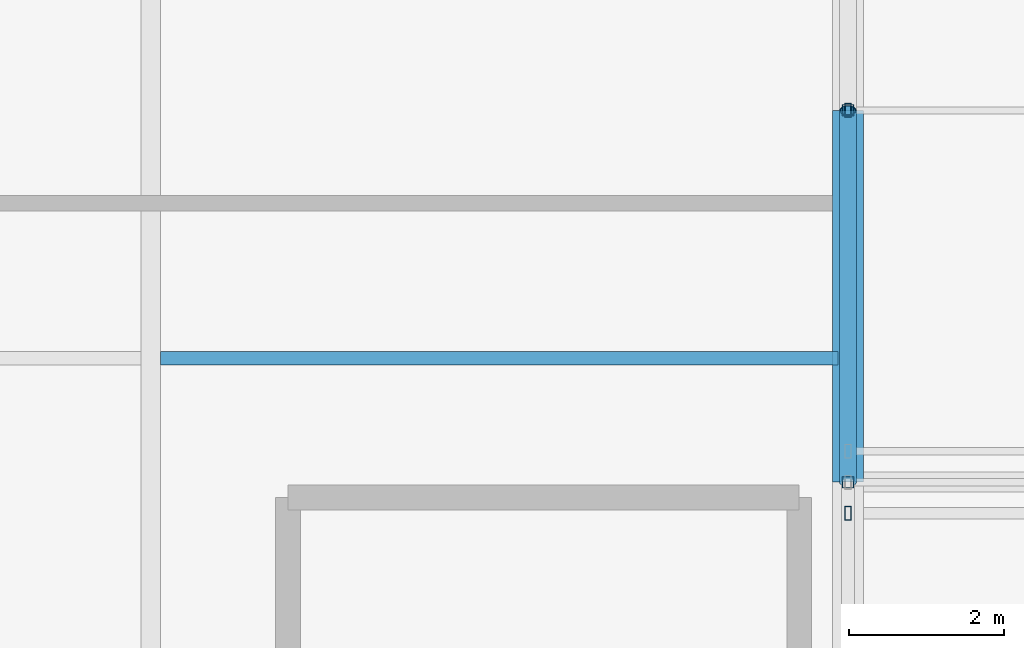
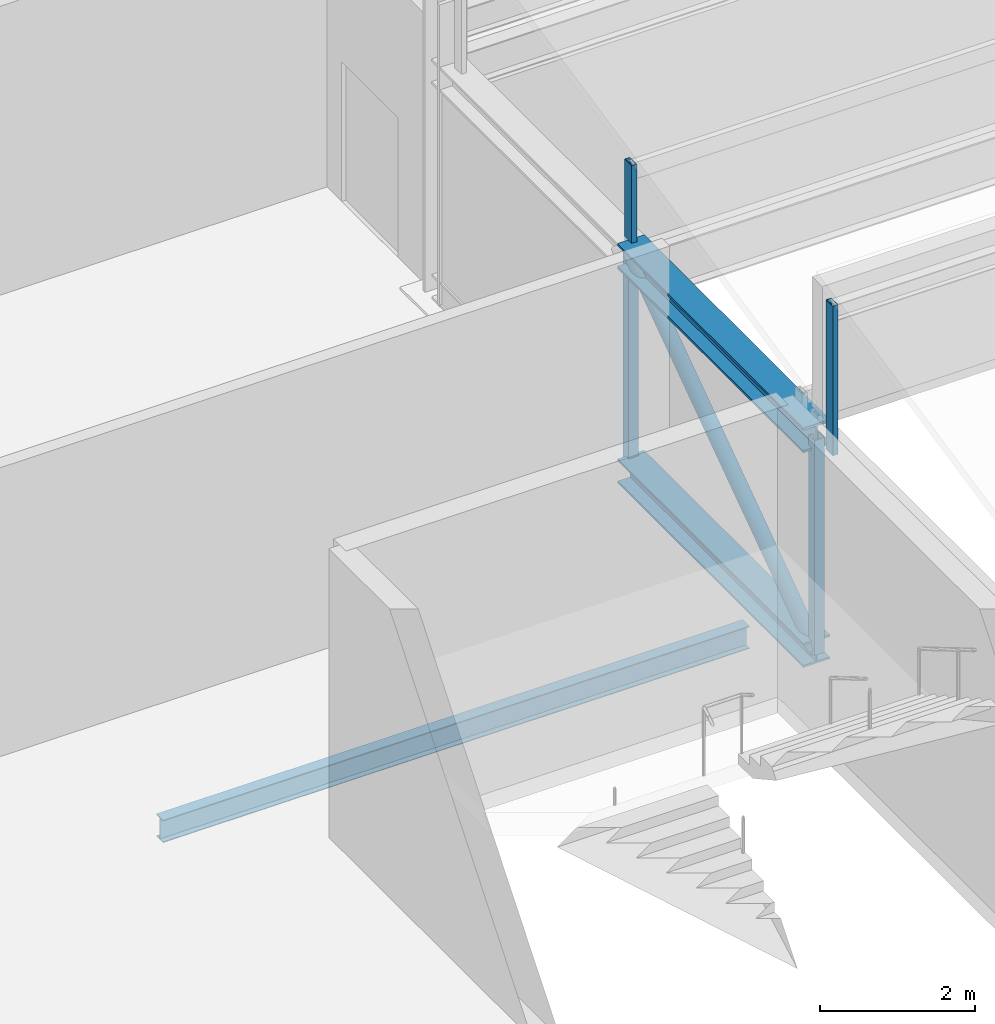
# One storey, part 40 of 136: 5 members, 3 beams.
"""IFC4 building model written with IfcOpenShell, lengths in metres."""

from ifc_helpers import new_model, si_unit, direction, frame, origin, origin_2d, place, context, subcontext, project, spatial, hollow_rectangle, hollow_circle, i_section, extrude, material, material_profile, profile_set, type_object, element, save


model = new_model("IFC4")

# Units and contexts
model_context = context("Model", 3, precision=1e-05, world=origin(), true_north=direction((0.0, 1.0)))
body_context = subcontext(model_context, "Body", "Model", "MODEL_VIEW")
ifc_project = project(units=[si_unit("LENGTHUNIT", "METRE"), si_unit("AREAUNIT", "SQUARE_METRE"), si_unit("VOLUMEUNIT", "CUBIC_METRE"), si_unit("PLANEANGLEUNIT", "RADIAN"), si_unit("MASSUNIT", "GRAM", prefix="KILO")], contexts=[model_context])

# Site, building, storey
site_placement = place(None, origin())
site = spatial("IfcSite", under=ifc_project, at=site_placement, CompositionType="ELEMENT")
building_placement = place(site_placement, origin())
building = spatial("IfcBuilding", under=site, at=building_placement, Name="Kisiwana Market Hall", CompositionType="ELEMENT")
storey_placement = place(building_placement, frame((0.0, 0.0, 16.800048828125)))
storey = spatial("IfcBuildingStorey", under=building, at=storey_placement, Name="L03", CompositionType="ELEMENT", Elevation=16.800048828125)

# Beams
ifc_material_1 = material(Name="Steel S355", Category="steel")
ifc_material_profile_1 = material_profile(ifc_material_1, i_section(OverallWidth=0.17138671875, OverallDepth=0.35498046875, WebThickness=0.00732421875, FlangeThickness=0.011474609375, at=origin_2d()), Name="UB 356x171x51")
ifc_profile_set_1 = profile_set([ifc_material_profile_1], Name="Steel S355")
beam_type_1 = type_object("IfcBeamType", Name="BM-JOIST-UB356", PredefinedType="JOIST", material=ifc_profile_set_1)
beam_1_placement = place(storey_placement, frame((36.125732421875, 76.0, -0.427490234375), z_axis=(1.0, 0.0, 0.0), x_axis=(0.0, 1.0, 0.0)))
element("IfcBeam", 1, at=beam_1_placement, inside=storey, type_object=beam_type_1, Name="Secondary floor joist B-0966", PredefinedType="JOIST", context=body_context, shape_type="SweptSolid", body=[
    extrude(i_section(OverallWidth=0.17138671875, OverallDepth=0.35498046875, WebThickness=0.00732421875, FlangeThickness=0.011474609375, at=origin_2d()), origin(), (0.0, 0.0, 1.0), 8.74853515625),
])
ifc_material_2 = material(Name="Steel S355", Category="steel")
ifc_material_profile_2 = material_profile(ifc_material_2, i_section(OverallWidth=0.394775390625, OverallDepth=0.381103515625, WebThickness=0.018310546875, FlangeThickness=0.0302734375, at=origin_2d()), Name="UC 356x406x235")
ifc_profile_set_2 = profile_set([ifc_material_profile_2], Name="Steel S355")
beam_type_2 = type_object("IfcBeamType", Name="BM-TRUSS-BOT", PredefinedType="USERDEFINED", material=ifc_profile_set_2)
beam_2_placement = place(storey_placement, frame((45.0, 74.39990234375, 0.22998046875), z_axis=(0.0, 1.0, 0.0), x_axis=(-1.0, 0.0, 0.0)))
element("IfcBeam", 2, at=beam_2_placement, inside=storey, type_object=beam_type_2, Name="TR-01 BC panel 9 B-1186", ObjectType="ROOF TRUSS", PredefinedType="USERDEFINED", context=body_context, shape_type="SweptSolid", body=[
    extrude(i_section(OverallWidth=0.394775390625, OverallDepth=0.381103515625, WebThickness=0.018310546875, FlangeThickness=0.0302734375, at=origin_2d()), origin(), (0.0, 0.0, 1.0), 4.800048828125),
])
ifc_material_3 = material(Name="Steel S355", Category="steel")
ifc_material_profile_3 = material_profile(ifc_material_3, i_section(OverallWidth=0.39892578125, OverallDepth=0.3935546875, WebThickness=0.022705078125, FlangeThickness=0.03662109375, at=origin_2d()), Name="UC 356x406x287")
ifc_profile_set_3 = profile_set([ifc_material_profile_3], Name="Steel S355")
beam_type_3 = type_object("IfcBeamType", Name="BM-TRUSS-TOP", PredefinedType="USERDEFINED", material=ifc_profile_set_3)
beam_3_placement = place(storey_placement, frame((45.0, 74.39990234375, 3.619873046875), z_axis=(0.0, 1.0, 0.0), x_axis=(-1.0, 0.0, 0.0)))
element("IfcBeam", 3, at=beam_3_placement, inside=storey, type_object=beam_type_3, Name="TR-01 TC panel 9 B-1196", ObjectType="ROOF TRUSS", PredefinedType="USERDEFINED", context=body_context, shape_type="SweptSolid", body=[
    extrude(i_section(OverallWidth=0.39892578125, OverallDepth=0.3935546875, WebThickness=0.022705078125, FlangeThickness=0.03662109375, at=origin_2d()), origin(), (0.0, 0.0, 1.0), 4.800048828125),
])

# Members
ifc_material_4 = material(Name="Steel S355", Category="steel")
ifc_material_profile_4 = material_profile(ifc_material_4, hollow_rectangle(XDim=0.080078125, YDim=0.179931640625, WallThickness=0.00634765625, at=origin_2d()), Name="RHS 180x80x6.3")
ifc_profile_set_4 = profile_set([ifc_material_profile_4], Name="Steel S355")
member_type_1 = type_object("IfcMemberType", Name="MB-CAN-STRUT", PredefinedType="STRUT", material=ifc_profile_set_4)
member_1_placement = place(storey_placement, frame((45.0, 74.0, 3.619873046875), z_axis=(0.0, 0.0, 1.0), x_axis=(1.0, 0.0, 0.0)))
element("IfcMember", 4, at=member_1_placement, inside=storey, type_object=member_type_1, Name="Sawtooth raker post 289 M-0297", PredefinedType="STRUT", context=body_context, shape_type="SweptSolid", body=[
    extrude(hollow_rectangle(XDim=0.080078125, YDim=0.179931640625, WallThickness=0.00634765625, at=origin_2d()), origin(), (0.0, 0.0, 1.0), 2.355712890625),
])
member_2_placement = place(storey_placement, frame((45.0, 79.199951171875, 3.619873046875), z_axis=(0.0, 0.0, 1.0), x_axis=(1.0, 0.0, 0.0)))
element("IfcMember", 5, at=member_2_placement, inside=storey, type_object=member_type_1, Name="Sawtooth mid-slope raker post 59 M-0083", PredefinedType="STRUT", context=body_context, shape_type="SweptSolid", body=[
    extrude(hollow_rectangle(XDim=0.080078125, YDim=0.179931640625, WallThickness=0.00634765625, at=origin_2d()), origin(), (0.0, 0.0, 1.0), 1.42041015625),
])
ifc_material_5 = material(Name="Steel S355", Category="steel")
ifc_material_profile_5 = material_profile(ifc_material_5, hollow_circle(Radius=0.109619140625, WallThickness=0.012451171875, at=origin_2d()), Name="CHS 219.1x12.5")
ifc_profile_set_5 = profile_set([ifc_material_profile_5], Name="Steel S355")
member_type_2 = type_object("IfcMemberType", Name="MB-TR-DIAG219", PredefinedType="BRACE", material=ifc_profile_set_5)
member_3_placement = place(storey_placement, frame((45.0, 74.39990234375, 0.22998046875), z_axis=(0.0, 0.816837735077, 0.576867501732), x_axis=(-1.0, 0.0, 0.0)))
element("IfcMember", 6, at=member_3_placement, inside=storey, type_object=member_type_2, Name="TR-01 diagonal 9 M-0345", PredefinedType="BRACE", context=body_context, shape_type="SweptSolid", body=[
    extrude(hollow_circle(Radius=0.109619140625, WallThickness=0.012451171875, at=origin_2d()), origin(), (0.0, 0.0, 1.0), 5.87646484375),
])
ifc_material_6 = material(Name="Steel S355", Category="steel")
ifc_material_profile_6 = material_profile(ifc_material_6, hollow_rectangle(XDim=0.14990234375, YDim=0.14990234375, WallThickness=0.008056640625, at=origin_2d()), Name="SHS 150x150x8.0")
ifc_profile_set_6 = profile_set([ifc_material_profile_6], Name="Steel S355")
member_type_3 = type_object("IfcMemberType", Name="MB-TR-STRUT200", PredefinedType="STRUT", material=ifc_profile_set_6)
for number, where, z_axis, x_axis, name in (
    (7, (45.0, 74.39990234375, 0.22998046875), (0.0, 0.0, 1.0), (1.0, 0.0, 0.0), "TR-01 vertical strut 9 M-0353"),
    (8, (45.0, 79.199951171875, 0.22998046875), (0.0, 0.0, 1.0), (1.0, 0.0, 0.0), "TR-01 vertical strut 10 M-0346"),
):
    element("IfcMember", number, at=place(storey_placement, frame(where, z_axis=z_axis, x_axis=x_axis)), inside=storey, type_object=member_type_3, Name=name, PredefinedType="STRUT", context=body_context, shape_type="SweptSolid", body=[
        extrude(hollow_rectangle(XDim=0.14990234375, YDim=0.14990234375, WallThickness=0.008056640625, at=origin_2d()), origin(), (0.0, 0.0, 1.0), 3.389892578125),
    ])

save(model, "model.ifc")
